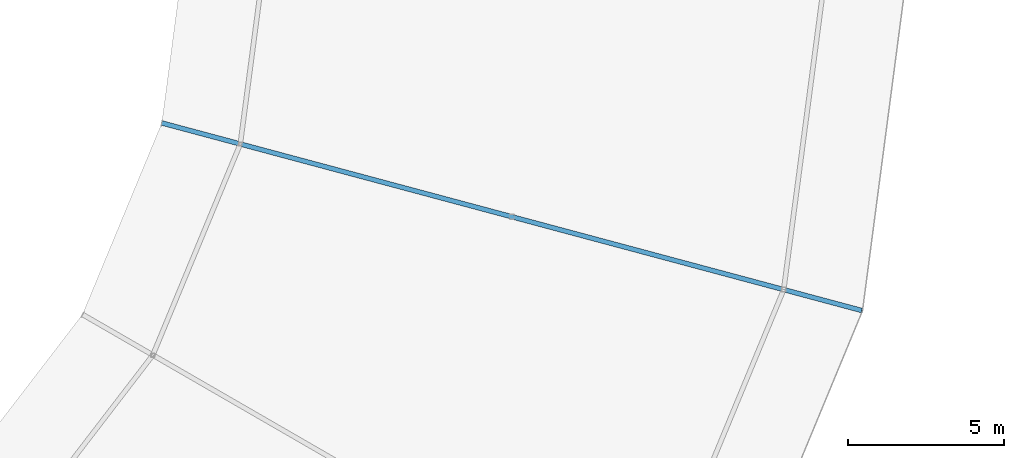
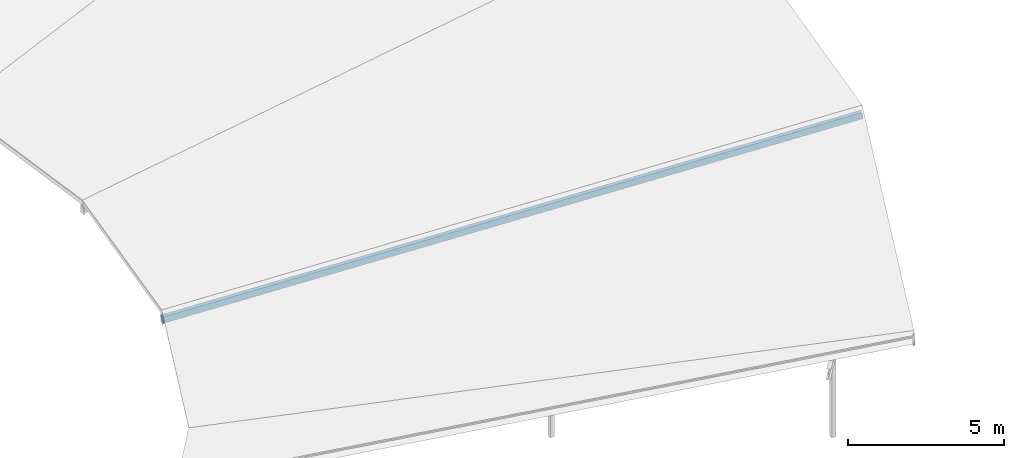
# One storey, part 111 of 200: 1 member.
"""IFC4 building model written with IfcOpenShell, lengths in metres."""

from ifc_helpers import new_model, si_unit, direction, frame, origin, origin_2d, place, context, subcontext, project, spatial, hollow_rectangle, extrude, material, material_profile, profile_set, type_object, element, save


model = new_model("IFC4")

# Units and contexts
model_context = context("Model", 3, precision=1e-05, world=origin(), true_north=direction((0.0, 1.0)))
body_context = subcontext(model_context, "Body", "Model", "MODEL_VIEW")
ifc_project = project(units=[si_unit("LENGTHUNIT", "METRE"), si_unit("AREAUNIT", "SQUARE_METRE"), si_unit("VOLUMEUNIT", "CUBIC_METRE"), si_unit("PLANEANGLEUNIT", "RADIAN"), si_unit("MASSUNIT", "GRAM", prefix="KILO")], contexts=[model_context])

# Site, building, storey
site_placement = place(None, origin())
site = spatial("IfcSite", under=ifc_project, at=site_placement, CompositionType="ELEMENT")
building_placement = place(site_placement, origin())
building = spatial("IfcBuilding", under=site, at=building_placement, Name="Vondelvale Polytechnic", CompositionType="ELEMENT")
storey_placement = place(building_placement, frame((0.0, 0.0, 13.800048828125)))
storey = spatial("IfcBuildingStorey", under=building, at=storey_placement, Name="L03", CompositionType="ELEMENT", Elevation=13.800048828125)

# Member
ifc_material = material(Name="Steel C350L0 (fy = 350 MPa)", Category="steel")
ifc_material_profile = material_profile(ifc_material, hollow_rectangle(XDim=0.14990234375, YDim=0.25, WallThickness=0.006103515625, at=origin_2d()), Name="250x150x6.0RHS")
ifc_profile_set = profile_set([ifc_material_profile], Name="Steel C350L0 (fy = 350 MPa)")
member_type = type_object("IfcMemberType", Name="RAFTER RHS250", PredefinedType="RAFTER", material=ifc_profile_set)
member_placement = place(storey_placement, frame((148.944091796875, 59.42138671875, 3.765625), z_axis=(-0.953223857145, 0.255414977301, -0.161639931762), x_axis=(-0.258818491613, -0.965925974596, 0.0)))
element("IfcMember", 1, at=member_placement, inside=storey, type_object=member_type, Name="Ring inward-sloping rafter 23", PredefinedType="RAFTER", context=body_context, shape_type="SweptSolid", body=[
    extrude(hollow_rectangle(XDim=0.14990234375, YDim=0.25, WallThickness=0.006103515625, at=origin_2d()), origin(), (0.0, 0.0, 1.0), 23.50927734375),
])

save(model, "model.ifc")
